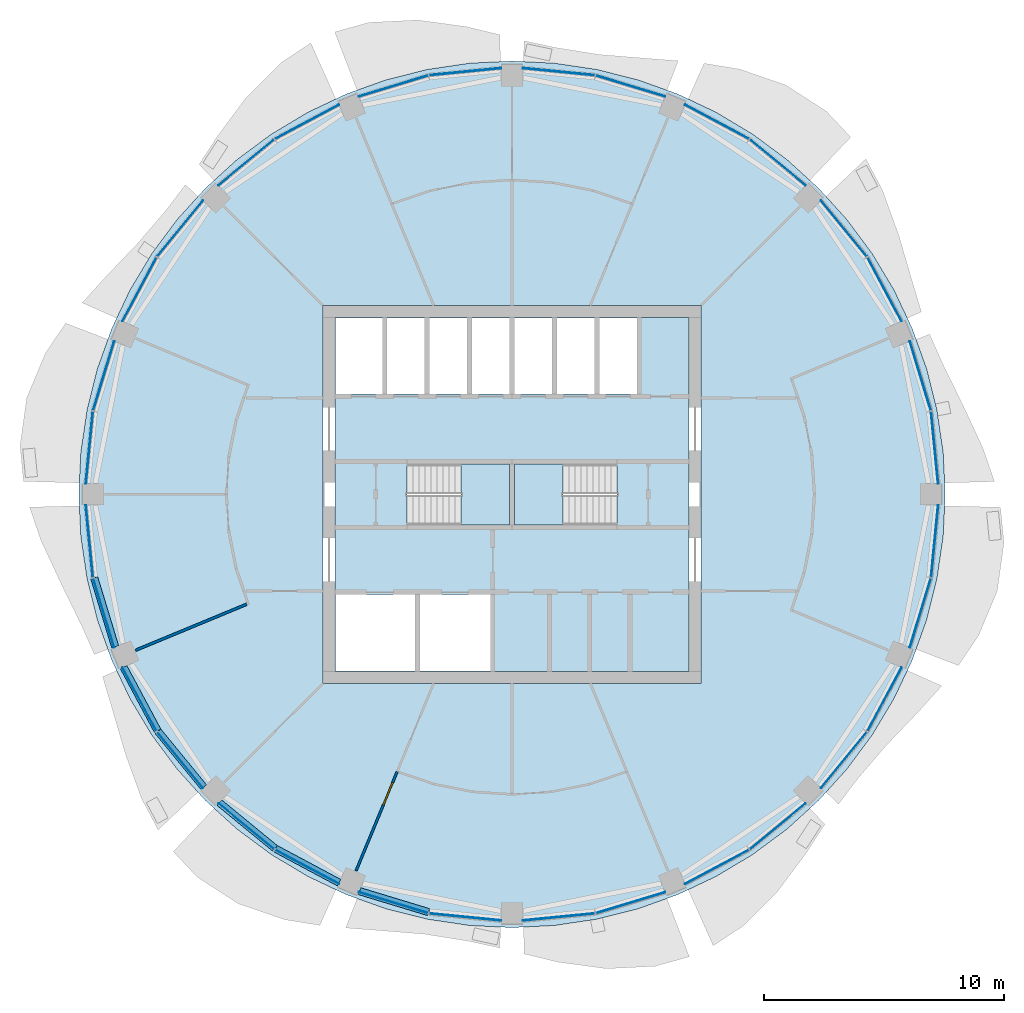
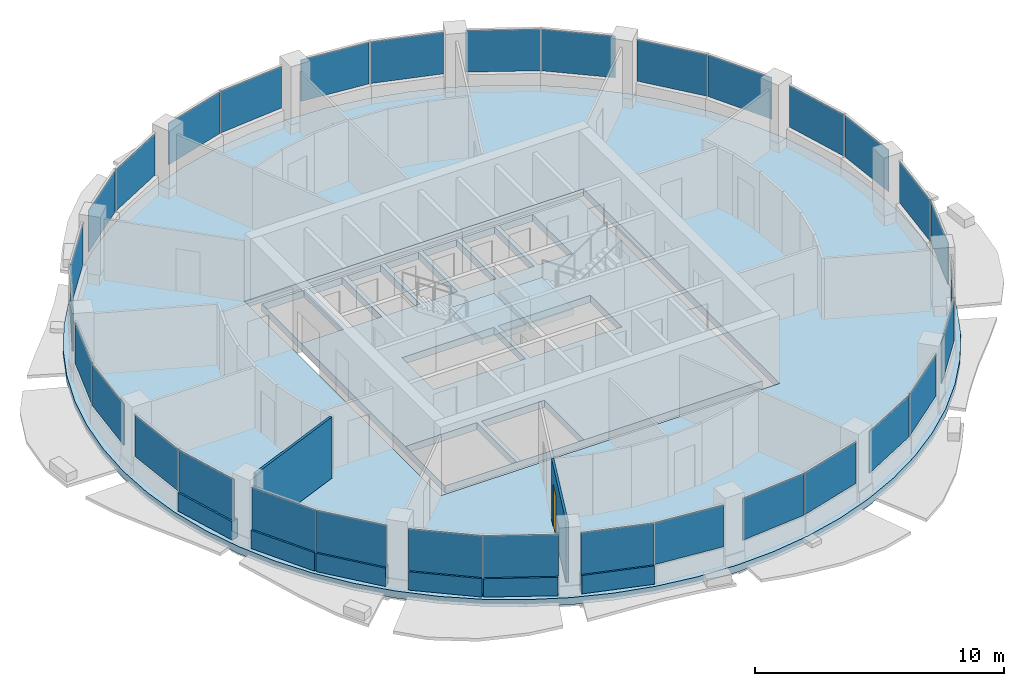
# One storey, part 7 of 15: 32 plates, 8 walls, 4 slabs, 1 door, 1 opening, 18 elements without a shape of their own.
"""IFC4 building model written with IfcOpenShell, lengths in metres."""

from ifc_helpers import new_model, si_unit, direction, frame, frame_2d, origin, origin_2d, place, context, subcontext, project, spatial, polyline, rectangle, outline, extrude, material, layer, layer_set, type_object, element, fill, aggregate, save


model = new_model("IFC4")

# Units and contexts
model_context = context("Model", 3, precision=1e-05, world=origin(), true_north=direction((0.0, 1.0)))
body_context = subcontext(model_context, "Body", "Model", "MODEL_VIEW")
ifc_project = project(units=[si_unit("LENGTHUNIT", "METRE"), si_unit("AREAUNIT", "SQUARE_METRE"), si_unit("VOLUMEUNIT", "CUBIC_METRE"), si_unit("PLANEANGLEUNIT", "RADIAN"), si_unit("MASSUNIT", "GRAM", prefix="KILO")], contexts=[model_context])

# Site, building, storey
site_placement = place(None, origin())
site = spatial("IfcSite", under=ifc_project, at=site_placement, CompositionType="ELEMENT")
building_placement = place(site_placement, origin())
building = spatial("IfcBuilding", under=site, at=building_placement, Name="Polderwave Tower", CompositionType="ELEMENT")
storey_placement = place(building_placement, frame((0.0, 0.0, 187.64990234375)))
storey = spatial("IfcBuildingStorey", under=building, at=storey_placement, Name="L50", CompositionType="ELEMENT", Elevation=187.64990234375)

# Slab
ifc_material_1 = material(Name="Concrete C40/50", Category="concrete")
ifc_layer_1 = layer(ifc_material_1, 0.35009765625)
ifc_layer_set_1 = layer_set([ifc_layer_1], Name="Core floor slab 350")
slab_type_1 = type_object("IfcSlabType", Name="Core floor slab 350", PredefinedType="FLOOR", material=ifc_layer_set_1)
slab_1_placement = place(storey_placement, frame((0.0, 0.0, -0.349853515625)))
element("IfcSlab", 1, at=slab_1_placement, inside=storey, type_object=slab_type_1, Name="L50 core floor", PredefinedType="FLOOR", context=body_context, shape_type="SweptSolid", body=[
    extrude(outline(polyline([(-7.3740234375, -7.3740234375), (7.3740234375, -7.3740234375), (7.3740234375, 7.3740234375), (-7.3740234375, 7.3740234375), (-7.3740234375, -7.3740234375)]), holes=[polyline([(-7.35400390625, -7.35400390625), (-4.037109375, -7.35400390625), (-4.037109375, -4.174072265625), (-7.35400390625, -4.174072265625), (-7.35400390625, -7.35400390625)]), polyline([(-3.8369140625, -7.35400390625), (-0.89990234375, -7.35400390625), (-0.89990234375, -4.174072265625), (-3.8369140625, -4.174072265625), (-3.8369140625, -7.35400390625)]), polyline([(-7.35400390625, 4.174072265625), (-5.405517578125, 4.174072265625), (-5.405517578125, 7.35400390625), (-7.35400390625, 7.35400390625), (-7.35400390625, 4.174072265625)]), polyline([(-5.20556640625, 4.174072265625), (-3.636962890625, 4.174072265625), (-3.636962890625, 7.35400390625), (-5.20556640625, 7.35400390625), (-5.20556640625, 4.174072265625)]), polyline([(-3.43701171875, 4.174072265625), (-1.868408203125, 4.174072265625), (-1.868408203125, 7.35400390625), (-3.43701171875, 7.35400390625), (-3.43701171875, 4.174072265625)]), polyline([(-1.66845703125, 4.174072265625), (-0.10009765625, 4.174072265625), (-0.10009765625, 7.35400390625), (-1.66845703125, 7.35400390625), (-1.66845703125, 4.174072265625)]), polyline([(0.10009765625, 4.174072265625), (1.66845703125, 4.174072265625), (1.66845703125, 7.35400390625), (0.10009765625, 7.35400390625), (0.10009765625, 4.174072265625)]), polyline([(1.868408203125, 4.174072265625), (3.43701171875, 4.174072265625), (3.43701171875, 7.35400390625), (1.868408203125, 7.35400390625), (1.868408203125, 4.174072265625)]), polyline([(3.636962890625, 4.174072265625), (5.20556640625, 4.174072265625), (5.20556640625, 7.35400390625), (3.636962890625, 7.35400390625), (3.636962890625, 4.174072265625)]), polyline([(-4.37353515625, -1.2744140625), (-0.1005859375, -1.2744140625), (-0.1005859375, 1.2744140625), (-4.37353515625, 1.2744140625), (-4.37353515625, -1.2744140625)]), polyline([(0.1005859375, -1.2744140625), (4.37353515625, -1.2744140625), (4.37353515625, 1.2744140625), (0.1005859375, 1.2744140625), (0.1005859375, -1.2744140625)])]), origin(), (0.0, 0.0, 1.0), 0.349853515625),
])

# Curtain wall, plates
ifc_material_2 = material(Name="Aluminium 6063-T6 and glass", Category="aluminium")
curtain_wall_type = type_object("IfcCurtainWallType", Name="Office ribbon glazing wall", PredefinedType="NOTDEFINED", material=ifc_material_2)
curtain_wall_1_placement = place(storey_placement, origin())
curtain_wall_1 = element("IfcCurtainWall", 2, at=curtain_wall_1_placement, inside=storey, type_object=curtain_wall_type, Name="CW3 L50 00", PredefinedType="NOTDEFINED")
ifc_material_3 = material(Name="Glass, low-e laminated double glazing", Category="glass")
ifc_layer_2 = layer(ifc_material_3, 0.031982421875)
ifc_layer_set_2 = layer_set([ifc_layer_2], Name="Office ribbon glazing glass panel 32 mm")
plate_type = type_object("IfcPlateType", Name="Office ribbon glazing glass panel 32 mm", PredefinedType="CURTAIN_PANEL", material=ifc_layer_set_2)
plate_1_placement = place(storey_placement, frame((17.6083984375, 1.94775390625, 0.900146484375), z_axis=(0.0, 0.0, 1.0), x_axis=(-0.098102249297, 0.995176340496, 0.0)))
plate_1 = element("IfcPlate", 3, at=plate_1_placement, type_object=plate_type, Name="CW3 panel 1", PredefinedType="CURTAIN_PANEL", context=body_context, shape_type="SweptSolid", body=[
    extrude(rectangle(XDim=3.01025390625, YDim=0.031982421875, at=origin_2d()), origin(), (0.0, 0.0, 1.0), 2.0400390625),
])
plate_2_placement = place(storey_placement, frame((17.012939453125, 4.939208984375, 0.900146484375), z_axis=(0.0, 0.0, 1.0), x_axis=(-0.290428309117, 0.956896753712, 0.0)))
plate_2 = element("IfcPlate", 4, at=plate_2_placement, type_object=plate_type, Name="CW3 panel 2", PredefinedType="CURTAIN_PANEL", context=body_context, shape_type="SweptSolid", body=[
    extrude(rectangle(XDim=3.009521484375, YDim=0.031982421875, at=origin_2d()), origin(), (0.0, 0.0, 1.0), 2.0400390625),
])
aggregate(curtain_wall_1, [plate_1, plate_2])

curtain_wall_2_placement = place(storey_placement, origin())
curtain_wall_2 = element("IfcCurtainWall", 5, at=curtain_wall_2_placement, inside=storey, type_object=curtain_wall_type, Name="CW3 L50 01", PredefinedType="NOTDEFINED")
plate_3_placement = place(storey_placement, frame((15.5224609375, 8.537841796875, 0.900146484375), z_axis=(0.0, 0.0, 1.0), x_axis=(-0.471544497535, 0.881842268688, 0.0)))
plate_3 = element("IfcPlate", 6, at=plate_3_placement, type_object=plate_type, Name="CW3 panel 1", PredefinedType="CURTAIN_PANEL", context=body_context, shape_type="SweptSolid", body=[
    extrude(rectangle(XDim=3.00927734375, YDim=0.031982421875, at=origin_2d()), origin(), (0.0, 0.0, 1.0), 2.0400390625),
])
plate_4_placement = place(storey_placement, frame((13.827880859375, 11.073486328125, 0.900146484375), z_axis=(0.0, 0.0, 1.0), x_axis=(-0.634402728221, 0.773002702729, 0.0)))
plate_4 = element("IfcPlate", 7, at=plate_4_placement, type_object=plate_type, Name="CW3 panel 2", PredefinedType="CURTAIN_PANEL", context=body_context, shape_type="SweptSolid", body=[
    extrude(rectangle(XDim=3.010009765625, YDim=0.031982421875, at=origin_2d()), origin(), (0.0, 0.0, 1.0), 2.0400390625),
])
aggregate(curtain_wall_2, [plate_3, plate_4])

curtain_wall_3_placement = place(storey_placement, origin())
curtain_wall_3 = element("IfcCurtainWall", 8, at=curtain_wall_3_placement, inside=storey, type_object=curtain_wall_type, Name="CW3 L50 02", PredefinedType="NOTDEFINED")
plate_5_placement = place(storey_placement, frame((11.073486328125, 13.827880859375, 0.900146484375), z_axis=(0.0, 0.0, 1.0), x_axis=(-0.773002702729, 0.634402728221, 0.0)))
plate_5 = element("IfcPlate", 9, at=plate_5_placement, type_object=plate_type, Name="CW3 panel 1", PredefinedType="CURTAIN_PANEL", context=body_context, shape_type="SweptSolid", body=[
    extrude(rectangle(XDim=3.010009765625, YDim=0.031982421875, at=origin_2d()), origin(), (0.0, 0.0, 1.0), 2.0400390625),
])
plate_6_placement = place(storey_placement, frame((8.537841796875, 15.5224609375, 0.900146484375), z_axis=(0.0, 0.0, 1.0), x_axis=(-0.881842268688, 0.471544497535, 0.0)))
plate_6 = element("IfcPlate", 10, at=plate_6_placement, type_object=plate_type, Name="CW3 panel 2", PredefinedType="CURTAIN_PANEL", context=body_context, shape_type="SweptSolid", body=[
    extrude(rectangle(XDim=3.00927734375, YDim=0.031982421875, at=origin_2d()), origin(), (0.0, 0.0, 1.0), 2.0400390625),
])
aggregate(curtain_wall_3, [plate_5, plate_6])

curtain_wall_4_placement = place(storey_placement, origin())
curtain_wall_4 = element("IfcCurtainWall", 11, at=curtain_wall_4_placement, inside=storey, type_object=curtain_wall_type, Name="CW3 L50 03", PredefinedType="NOTDEFINED")
plate_7_placement = place(storey_placement, frame((4.939208984375, 17.012939453125, 0.900146484375), z_axis=(0.0, 0.0, 1.0), x_axis=(-0.956896753712, 0.290428309117, 0.0)))
plate_7 = element("IfcPlate", 12, at=plate_7_placement, type_object=plate_type, Name="CW3 panel 1", PredefinedType="CURTAIN_PANEL", context=body_context, shape_type="SweptSolid", body=[
    extrude(rectangle(XDim=3.009521484375, YDim=0.031982421875, at=origin_2d()), origin(), (0.0, 0.0, 1.0), 2.0400390625),
])
plate_8_placement = place(storey_placement, frame((1.94775390625, 17.6083984375, 0.900146484375), z_axis=(0.0, 0.0, 1.0), x_axis=(-0.995176340496, 0.098102249297, 0.0)))
plate_8 = element("IfcPlate", 13, at=plate_8_placement, type_object=plate_type, Name="CW3 panel 2", PredefinedType="CURTAIN_PANEL", context=body_context, shape_type="SweptSolid", body=[
    extrude(rectangle(XDim=3.01025390625, YDim=0.031982421875, at=origin_2d()), origin(), (0.0, 0.0, 1.0), 2.0400390625),
])
aggregate(curtain_wall_4, [plate_7, plate_8])

curtain_wall_5_placement = place(storey_placement, origin())
curtain_wall_5 = element("IfcCurtainWall", 14, at=curtain_wall_5_placement, inside=storey, type_object=curtain_wall_type, Name="CW3 L50 04", PredefinedType="NOTDEFINED")
plate_9_placement = place(storey_placement, frame((-1.94775390625, 17.6083984375, 0.900146484375), z_axis=(0.0, 0.0, 1.0), x_axis=(-0.995176340496, -0.098102249297, 0.0)))
plate_9 = element("IfcPlate", 15, at=plate_9_placement, type_object=plate_type, Name="CW3 panel 1", PredefinedType="CURTAIN_PANEL", context=body_context, shape_type="SweptSolid", body=[
    extrude(rectangle(XDim=3.01025390625, YDim=0.031982421875, at=origin_2d()), origin(), (0.0, 0.0, 1.0), 2.0400390625),
])
plate_10_placement = place(storey_placement, frame((-4.939208984375, 17.012939453125, 0.900146484375), z_axis=(0.0, 0.0, 1.0), x_axis=(-0.956896753712, -0.290428309117, 0.0)))
plate_10 = element("IfcPlate", 16, at=plate_10_placement, type_object=plate_type, Name="CW3 panel 2", PredefinedType="CURTAIN_PANEL", context=body_context, shape_type="SweptSolid", body=[
    extrude(rectangle(XDim=3.009521484375, YDim=0.031982421875, at=origin_2d()), origin(), (0.0, 0.0, 1.0), 2.0400390625),
])
aggregate(curtain_wall_5, [plate_9, plate_10])

curtain_wall_6_placement = place(storey_placement, origin())
curtain_wall_6 = element("IfcCurtainWall", 17, at=curtain_wall_6_placement, inside=storey, type_object=curtain_wall_type, Name="CW3 L50 05", PredefinedType="NOTDEFINED")
plate_11_placement = place(storey_placement, frame((-8.537841796875, 15.5224609375, 0.900146484375), z_axis=(0.0, 0.0, 1.0), x_axis=(-0.881842268688, -0.471544497535, 0.0)))
plate_11 = element("IfcPlate", 18, at=plate_11_placement, type_object=plate_type, Name="CW3 panel 1", PredefinedType="CURTAIN_PANEL", context=body_context, shape_type="SweptSolid", body=[
    extrude(rectangle(XDim=3.00927734375, YDim=0.031982421875, at=origin_2d()), origin(), (0.0, 0.0, 1.0), 2.0400390625),
])
plate_12_placement = place(storey_placement, frame((-11.073486328125, 13.827880859375, 0.900146484375), z_axis=(0.0, 0.0, 1.0), x_axis=(-0.773002702729, -0.634402728221, 0.0)))
plate_12 = element("IfcPlate", 19, at=plate_12_placement, type_object=plate_type, Name="CW3 panel 2", PredefinedType="CURTAIN_PANEL", context=body_context, shape_type="SweptSolid", body=[
    extrude(rectangle(XDim=3.010009765625, YDim=0.031982421875, at=origin_2d()), origin(), (0.0, 0.0, 1.0), 2.0400390625),
])
aggregate(curtain_wall_6, [plate_11, plate_12])

curtain_wall_7_placement = place(storey_placement, origin())
curtain_wall_7 = element("IfcCurtainWall", 20, at=curtain_wall_7_placement, inside=storey, type_object=curtain_wall_type, Name="CW3 L50 06", PredefinedType="NOTDEFINED")
plate_13_placement = place(storey_placement, frame((-13.827880859375, 11.073486328125, 0.900146484375), z_axis=(0.0, 0.0, 1.0), x_axis=(-0.634402728221, -0.773002702729, 0.0)))
plate_13 = element("IfcPlate", 21, at=plate_13_placement, type_object=plate_type, Name="CW3 panel 1", PredefinedType="CURTAIN_PANEL", context=body_context, shape_type="SweptSolid", body=[
    extrude(rectangle(XDim=3.010009765625, YDim=0.031982421875, at=origin_2d()), origin(), (0.0, 0.0, 1.0), 2.0400390625),
])
plate_14_placement = place(storey_placement, frame((-15.5224609375, 8.537841796875, 0.900146484375), z_axis=(0.0, 0.0, 1.0), x_axis=(-0.471544497535, -0.881842268688, 0.0)))
plate_14 = element("IfcPlate", 22, at=plate_14_placement, type_object=plate_type, Name="CW3 panel 2", PredefinedType="CURTAIN_PANEL", context=body_context, shape_type="SweptSolid", body=[
    extrude(rectangle(XDim=3.00927734375, YDim=0.031982421875, at=origin_2d()), origin(), (0.0, 0.0, 1.0), 2.0400390625),
])
aggregate(curtain_wall_7, [plate_13, plate_14])

curtain_wall_8_placement = place(storey_placement, origin())
curtain_wall_8 = element("IfcCurtainWall", 23, at=curtain_wall_8_placement, inside=storey, type_object=curtain_wall_type, Name="CW3 L50 07", PredefinedType="NOTDEFINED")
plate_15_placement = place(storey_placement, frame((-17.012939453125, 4.939208984375, 0.900146484375), z_axis=(0.0, 0.0, 1.0), x_axis=(-0.290428309117, -0.956896753712, 0.0)))
plate_15 = element("IfcPlate", 24, at=plate_15_placement, type_object=plate_type, Name="CW3 panel 1", PredefinedType="CURTAIN_PANEL", context=body_context, shape_type="SweptSolid", body=[
    extrude(rectangle(XDim=3.009521484375, YDim=0.031982421875, at=origin_2d()), origin(), (0.0, 0.0, 1.0), 2.0400390625),
])
plate_16_placement = place(storey_placement, frame((-17.6083984375, 1.94775390625, 0.900146484375), z_axis=(0.0, 0.0, 1.0), x_axis=(-0.098102249297, -0.995176340496, 0.0)))
plate_16 = element("IfcPlate", 25, at=plate_16_placement, type_object=plate_type, Name="CW3 panel 2", PredefinedType="CURTAIN_PANEL", context=body_context, shape_type="SweptSolid", body=[
    extrude(rectangle(XDim=3.01025390625, YDim=0.031982421875, at=origin_2d()), origin(), (0.0, 0.0, 1.0), 2.0400390625),
])
aggregate(curtain_wall_8, [plate_15, plate_16])

curtain_wall_9_placement = place(storey_placement, origin())
curtain_wall_9 = element("IfcCurtainWall", 26, at=curtain_wall_9_placement, inside=storey, type_object=curtain_wall_type, Name="CW3 L50 08", PredefinedType="NOTDEFINED")
plate_17_placement = place(storey_placement, frame((-17.6083984375, -1.94775390625, 0.900146484375), z_axis=(0.0, 0.0, 1.0), x_axis=(0.098102249297, -0.995176340496, 0.0)))
plate_17 = element("IfcPlate", 27, at=plate_17_placement, type_object=plate_type, Name="CW3 panel 1", PredefinedType="CURTAIN_PANEL", context=body_context, shape_type="SweptSolid", body=[
    extrude(rectangle(XDim=3.01025390625, YDim=0.031982421875, at=origin_2d()), origin(), (0.0, 0.0, 1.0), 2.0400390625),
])
plate_18_placement = place(storey_placement, frame((-17.012939453125, -4.939208984375, 0.900146484375), z_axis=(0.0, 0.0, 1.0), x_axis=(0.290428309117, -0.956896753712, 0.0)))
plate_18 = element("IfcPlate", 28, at=plate_18_placement, type_object=plate_type, Name="CW3 panel 2", PredefinedType="CURTAIN_PANEL", context=body_context, shape_type="SweptSolid", body=[
    extrude(rectangle(XDim=3.009521484375, YDim=0.031982421875, at=origin_2d()), origin(), (0.0, 0.0, 1.0), 2.0400390625),
])
aggregate(curtain_wall_9, [plate_17, plate_18])

curtain_wall_10_placement = place(storey_placement, origin())
curtain_wall_10 = element("IfcCurtainWall", 29, at=curtain_wall_10_placement, inside=storey, type_object=curtain_wall_type, Name="CW3 L50 09", PredefinedType="NOTDEFINED")
plate_19_placement = place(storey_placement, frame((-15.5224609375, -8.537841796875, 0.900146484375), z_axis=(0.0, 0.0, 1.0), x_axis=(0.471544497535, -0.881842268688, 0.0)))
plate_19 = element("IfcPlate", 30, at=plate_19_placement, type_object=plate_type, Name="CW3 panel 1", PredefinedType="CURTAIN_PANEL", context=body_context, shape_type="SweptSolid", body=[
    extrude(rectangle(XDim=3.00927734375, YDim=0.031982421875, at=origin_2d()), origin(), (0.0, 0.0, 1.0), 2.0400390625),
])
plate_20_placement = place(storey_placement, frame((-13.827880859375, -11.073486328125, 0.900146484375), z_axis=(0.0, 0.0, 1.0), x_axis=(0.634402728221, -0.773002702729, 0.0)))
plate_20 = element("IfcPlate", 31, at=plate_20_placement, type_object=plate_type, Name="CW3 panel 2", PredefinedType="CURTAIN_PANEL", context=body_context, shape_type="SweptSolid", body=[
    extrude(rectangle(XDim=3.010009765625, YDim=0.031982421875, at=origin_2d()), origin(), (0.0, 0.0, 1.0), 2.0400390625),
])
aggregate(curtain_wall_10, [plate_19, plate_20])

curtain_wall_11_placement = place(storey_placement, origin())
curtain_wall_11 = element("IfcCurtainWall", 32, at=curtain_wall_11_placement, inside=storey, type_object=curtain_wall_type, Name="CW3 L50 10", PredefinedType="NOTDEFINED")
plate_21_placement = place(storey_placement, frame((-11.073486328125, -13.827880859375, 0.900146484375), z_axis=(0.0, 0.0, 1.0), x_axis=(0.773002702729, -0.634402728221, 0.0)))
plate_21 = element("IfcPlate", 33, at=plate_21_placement, type_object=plate_type, Name="CW3 panel 1", PredefinedType="CURTAIN_PANEL", context=body_context, shape_type="SweptSolid", body=[
    extrude(rectangle(XDim=3.010009765625, YDim=0.031982421875, at=origin_2d()), origin(), (0.0, 0.0, 1.0), 2.0400390625),
])
plate_22_placement = place(storey_placement, frame((-8.537841796875, -15.5224609375, 0.900146484375), z_axis=(0.0, 0.0, 1.0), x_axis=(0.881842268688, -0.471544497535, 0.0)))
plate_22 = element("IfcPlate", 34, at=plate_22_placement, type_object=plate_type, Name="CW3 panel 2", PredefinedType="CURTAIN_PANEL", context=body_context, shape_type="SweptSolid", body=[
    extrude(rectangle(XDim=3.00927734375, YDim=0.031982421875, at=origin_2d()), origin(), (0.0, 0.0, 1.0), 2.0400390625),
])
aggregate(curtain_wall_11, [plate_21, plate_22])

curtain_wall_12_placement = place(storey_placement, origin())
curtain_wall_12 = element("IfcCurtainWall", 35, at=curtain_wall_12_placement, inside=storey, type_object=curtain_wall_type, Name="CW3 L50 11", PredefinedType="NOTDEFINED")
plate_23_placement = place(storey_placement, frame((-4.939208984375, -17.012939453125, 0.900146484375), z_axis=(0.0, 0.0, 1.0), x_axis=(0.956896753712, -0.290428309117, 0.0)))
plate_23 = element("IfcPlate", 36, at=plate_23_placement, type_object=plate_type, Name="CW3 panel 1", PredefinedType="CURTAIN_PANEL", context=body_context, shape_type="SweptSolid", body=[
    extrude(rectangle(XDim=3.009521484375, YDim=0.031982421875, at=origin_2d()), origin(), (0.0, 0.0, 1.0), 2.0400390625),
])
plate_24_placement = place(storey_placement, frame((-1.94775390625, -17.6083984375, 0.900146484375), z_axis=(0.0, 0.0, 1.0), x_axis=(0.995176340496, -0.098102249297, 0.0)))
plate_24 = element("IfcPlate", 37, at=plate_24_placement, type_object=plate_type, Name="CW3 panel 2", PredefinedType="CURTAIN_PANEL", context=body_context, shape_type="SweptSolid", body=[
    extrude(rectangle(XDim=3.01025390625, YDim=0.031982421875, at=origin_2d()), origin(), (0.0, 0.0, 1.0), 2.0400390625),
])
aggregate(curtain_wall_12, [plate_23, plate_24])

curtain_wall_13_placement = place(storey_placement, origin())
curtain_wall_13 = element("IfcCurtainWall", 38, at=curtain_wall_13_placement, inside=storey, type_object=curtain_wall_type, Name="CW3 L50 12", PredefinedType="NOTDEFINED")
plate_25_placement = place(storey_placement, frame((1.94775390625, -17.6083984375, 0.900146484375), z_axis=(0.0, 0.0, 1.0), x_axis=(0.995176340496, 0.098102249297, 0.0)))
plate_25 = element("IfcPlate", 39, at=plate_25_placement, type_object=plate_type, Name="CW3 panel 1", PredefinedType="CURTAIN_PANEL", context=body_context, shape_type="SweptSolid", body=[
    extrude(rectangle(XDim=3.01025390625, YDim=0.031982421875, at=origin_2d()), origin(), (0.0, 0.0, 1.0), 2.0400390625),
])
plate_26_placement = place(storey_placement, frame((4.939208984375, -17.012939453125, 0.900146484375), z_axis=(0.0, 0.0, 1.0), x_axis=(0.956896753712, 0.290428309117, 0.0)))
plate_26 = element("IfcPlate", 40, at=plate_26_placement, type_object=plate_type, Name="CW3 panel 2", PredefinedType="CURTAIN_PANEL", context=body_context, shape_type="SweptSolid", body=[
    extrude(rectangle(XDim=3.009521484375, YDim=0.031982421875, at=origin_2d()), origin(), (0.0, 0.0, 1.0), 2.0400390625),
])
aggregate(curtain_wall_13, [plate_25, plate_26])

curtain_wall_14_placement = place(storey_placement, origin())
curtain_wall_14 = element("IfcCurtainWall", 41, at=curtain_wall_14_placement, inside=storey, type_object=curtain_wall_type, Name="CW3 L50 13", PredefinedType="NOTDEFINED")
plate_27_placement = place(storey_placement, frame((8.537841796875, -15.5224609375, 0.900146484375), z_axis=(0.0, 0.0, 1.0), x_axis=(0.881842268688, 0.471544497535, 0.0)))
plate_27 = element("IfcPlate", 42, at=plate_27_placement, type_object=plate_type, Name="CW3 panel 1", PredefinedType="CURTAIN_PANEL", context=body_context, shape_type="SweptSolid", body=[
    extrude(rectangle(XDim=3.00927734375, YDim=0.031982421875, at=origin_2d()), origin(), (0.0, 0.0, 1.0), 2.0400390625),
])
plate_28_placement = place(storey_placement, frame((11.073486328125, -13.827880859375, 0.900146484375), z_axis=(0.0, 0.0, 1.0), x_axis=(0.773002702729, 0.634402728221, 0.0)))
plate_28 = element("IfcPlate", 43, at=plate_28_placement, type_object=plate_type, Name="CW3 panel 2", PredefinedType="CURTAIN_PANEL", context=body_context, shape_type="SweptSolid", body=[
    extrude(rectangle(XDim=3.010009765625, YDim=0.031982421875, at=origin_2d()), origin(), (0.0, 0.0, 1.0), 2.0400390625),
])
aggregate(curtain_wall_14, [plate_27, plate_28])

curtain_wall_15_placement = place(storey_placement, origin())
curtain_wall_15 = element("IfcCurtainWall", 44, at=curtain_wall_15_placement, inside=storey, type_object=curtain_wall_type, Name="CW3 L50 14", PredefinedType="NOTDEFINED")
plate_29_placement = place(storey_placement, frame((13.827880859375, -11.073486328125, 0.900146484375), z_axis=(0.0, 0.0, 1.0), x_axis=(0.634402728221, 0.773002702729, 0.0)))
plate_29 = element("IfcPlate", 45, at=plate_29_placement, type_object=plate_type, Name="CW3 panel 1", PredefinedType="CURTAIN_PANEL", context=body_context, shape_type="SweptSolid", body=[
    extrude(rectangle(XDim=3.010009765625, YDim=0.031982421875, at=origin_2d()), origin(), (0.0, 0.0, 1.0), 2.0400390625),
])
plate_30_placement = place(storey_placement, frame((15.5224609375, -8.537841796875, 0.900146484375), z_axis=(0.0, 0.0, 1.0), x_axis=(0.471544497535, 0.881842268688, 0.0)))
plate_30 = element("IfcPlate", 46, at=plate_30_placement, type_object=plate_type, Name="CW3 panel 2", PredefinedType="CURTAIN_PANEL", context=body_context, shape_type="SweptSolid", body=[
    extrude(rectangle(XDim=3.00927734375, YDim=0.031982421875, at=origin_2d()), origin(), (0.0, 0.0, 1.0), 2.0400390625),
])
aggregate(curtain_wall_15, [plate_29, plate_30])

curtain_wall_16_placement = place(storey_placement, origin())
curtain_wall_16 = element("IfcCurtainWall", 47, at=curtain_wall_16_placement, inside=storey, type_object=curtain_wall_type, Name="CW3 L50 15", PredefinedType="NOTDEFINED")
plate_31_placement = place(storey_placement, frame((17.012939453125, -4.939208984375, 0.900146484375), z_axis=(0.0, 0.0, 1.0), x_axis=(0.290428309117, 0.956896753712, 0.0)))
plate_31 = element("IfcPlate", 48, at=plate_31_placement, type_object=plate_type, Name="CW3 panel 1", PredefinedType="CURTAIN_PANEL", context=body_context, shape_type="SweptSolid", body=[
    extrude(rectangle(XDim=3.009521484375, YDim=0.031982421875, at=origin_2d()), origin(), (0.0, 0.0, 1.0), 2.0400390625),
])
plate_32_placement = place(storey_placement, frame((17.6083984375, -1.94775390625, 0.900146484375), z_axis=(0.0, 0.0, 1.0), x_axis=(0.098102249297, 0.995176340496, 0.0)))
plate_32 = element("IfcPlate", 49, at=plate_32_placement, type_object=plate_type, Name="CW3 panel 2", PredefinedType="CURTAIN_PANEL", context=body_context, shape_type="SweptSolid", body=[
    extrude(rectangle(XDim=3.01025390625, YDim=0.031982421875, at=origin_2d()), origin(), (0.0, 0.0, 1.0), 2.0400390625),
])
aggregate(curtain_wall_16, [plate_31, plate_32])

# Slab
ifc_layer_3 = layer(ifc_material_1, 0.35009765625)
ifc_layer_set_3 = layer_set([ifc_layer_3], Name="PT FLOOR SLAB 350 C40/50")
slab_type_2 = type_object("IfcSlabType", Name="PT FLOOR SLAB 350 C40/50", PredefinedType="FLOOR", material=ifc_layer_set_3)
slab_2_placement = place(storey_placement, frame((0.0, 0.0, -0.349853515625)))
element("IfcSlab", 50, at=slab_2_placement, inside=storey, type_object=slab_type_2, Name="ST-SLAB-L50", PredefinedType="FLOOR", context=body_context, shape_type="SweptSolid", body=[
    extrude(outline(polyline([(18.050048828125, 0.0), (17.963134765625, 1.769287109375), (17.703125, 3.521484375), (17.272705078125, 5.239501953125), (16.676025390625, 6.907470703125), (15.918701171875, 8.5087890625), (15.008056640625, 10.028076171875), (13.952880859375, 11.45068359375), (12.76318359375, 12.76318359375), (11.45068359375, 13.952880859375), (10.028076171875, 15.008056640625), (8.5087890625, 15.918701171875), (6.907470703125, 16.676025390625), (5.239501953125, 17.272705078125), (3.521484375, 17.703125), (1.769287109375, 17.963134765625), (0.0, 18.050048828125), (-1.769287109375, 17.963134765625), (-3.521484375, 17.703125), (-5.239501953125, 17.272705078125), (-6.907470703125, 16.676025390625), (-8.5087890625, 15.918701171875), (-10.028076171875, 15.008056640625), (-11.45068359375, 13.952880859375), (-12.76318359375, 12.76318359375), (-13.952880859375, 11.45068359375), (-15.008056640625, 10.028076171875), (-15.918701171875, 8.5087890625), (-16.676025390625, 6.907470703125), (-17.272705078125, 5.239501953125), (-17.703125, 3.521484375), (-17.963134765625, 1.769287109375), (-18.050048828125, 0.0), (-17.963134765625, -1.769287109375), (-17.703125, -3.521484375), (-17.272705078125, -5.239501953125), (-16.676025390625, -6.907470703125), (-15.918701171875, -8.5087890625), (-15.008056640625, -10.028076171875), (-13.952880859375, -11.45068359375), (-12.76318359375, -12.76318359375), (-11.45068359375, -13.952880859375), (-10.028076171875, -15.008056640625), (-8.5087890625, -15.918701171875), (-6.907470703125, -16.676025390625), (-5.239501953125, -17.272705078125), (-3.521484375, -17.703125), (-1.769287109375, -17.963134765625), (0.0, -18.050048828125), (1.769287109375, -17.963134765625), (3.521484375, -17.703125), (5.239501953125, -17.272705078125), (6.907470703125, -16.676025390625), (8.5087890625, -15.918701171875), (10.028076171875, -15.008056640625), (11.45068359375, -13.952880859375), (12.76318359375, -12.76318359375), (13.952880859375, -11.45068359375), (15.008056640625, -10.028076171875), (15.918701171875, -8.5087890625), (16.676025390625, -6.907470703125), (17.272705078125, -5.239501953125), (17.703125, -3.521484375), (17.963134765625, -1.769287109375), (18.050048828125, 0.0)]), holes=[polyline([(-7.8740234375, -7.8740234375), (7.8740234375, -7.8740234375), (7.8740234375, 7.8740234375), (-7.8740234375, 7.8740234375), (-7.8740234375, -7.8740234375)])]), origin(), (0.0, 0.0, 1.0), 0.349853515625),
])

# Stair, slab
stair_type = type_object("IfcStairType", Name="Exit stair 1200 x 20 risers", PredefinedType="HALF_TURN_STAIR", material=ifc_material_1)
stair_1_placement = place(storey_placement, origin())
stair_1 = element("IfcStair", 51, at=stair_1_placement, inside=storey, type_object=stair_type, Name="L50 Exit stair A", PredefinedType="HALF_TURN_STAIR")
ifc_layer_4 = layer(ifc_material_1, 0.300048828125)
ifc_layer_set_4 = layer_set([ifc_layer_4], Name="Stair landing 300")
slab_type_3 = type_object("IfcSlabType", Name="Stair landing 300", PredefinedType="LANDING", material=ifc_layer_set_4)
slab_3_placement = place(storey_placement, frame((0.0, 0.0, 1.375)))
slab_3 = element("IfcSlab", 52, at=slab_3_placement, type_object=slab_type_3, Name="ST-A landing 1", PredefinedType="LANDING", context=body_context, shape_type="SweptSolid", body=[
    extrude(outline(polyline([(-2.1240234375, -1.27490234375), (-0.10009765625, -1.27490234375), (-0.10009765625, 1.27490234375), (-2.1240234375, 1.27490234375), (-2.1240234375, -1.27490234375)])), origin(), (0.0, 0.0, 1.0), 0.300048828125),
])
aggregate(stair_1, [slab_3])

stair_2_placement = place(storey_placement, origin())
stair_2 = element("IfcStair", 53, at=stair_2_placement, inside=storey, type_object=stair_type, Name="L50 Exit stair B", PredefinedType="HALF_TURN_STAIR")
slab_4_placement = place(storey_placement, frame((0.0, 0.0, 1.375)))
slab_4 = element("IfcSlab", 54, at=slab_4_placement, type_object=slab_type_3, Name="ST-B landing 1", PredefinedType="LANDING", context=body_context, shape_type="SweptSolid", body=[
    extrude(outline(polyline([(2.1240234375, 1.27490234375), (0.10009765625, 1.27490234375), (0.10009765625, -1.27490234375), (2.1240234375, -1.27490234375), (2.1240234375, 1.27490234375)])), origin(), (0.0, 0.0, 1.0), 0.300048828125),
])
aggregate(stair_2, [slab_4])

# Walls
ifc_material_4 = material(Name="Concrete C50/60 (board-marked)", Category="concrete")
ifc_layer_5 = layer(ifc_material_4, 0.300048828125)
ifc_layer_set_5 = layer_set([ifc_layer_5], Name="Concrete spandrel upstand C50/60")
wall_type_1 = type_object("IfcWallType", Name="Concrete spandrel upstand C50/60", PredefinedType="SOLIDWALL", material=ifc_layer_set_5)
wall_1_placement = place(storey_placement, frame((-17.404541015625, -3.477294921875, 0.0), z_axis=(0.0, 0.0, 1.0), x_axis=(0.290490921835, -0.95687774785, 0.0)))
element("IfcWall", 55, at=wall_1_placement, inside=storey, type_object=wall_type_1, Name="Spandrel L50 9b", PredefinedType="SOLIDWALL", context=body_context, shape_type="SweptSolid", body=[
    extrude(rectangle(XDim=2.998779296875, YDim=0.300048828125, at=frame_2d((1.49951171875, 0.0))), origin(), (0.0, 0.0, 1.0), 0.900146484375),
])
wall_2_placement = place(storey_placement, frame((-16.178955078125, -7.2041015625, 0.0), z_axis=(0.0, 0.0, 1.0), x_axis=(0.471572734074, -0.881827169278, 0.0)))
element("IfcWall", 56, at=wall_2_placement, inside=storey, type_object=wall_type_1, Name="Spandrel L50 10a", PredefinedType="SOLIDWALL", context=body_context, shape_type="SweptSolid", body=[
    extrude(rectangle(XDim=2.998046875, YDim=0.300048828125, at=frame_2d((1.4990234375, 0.0))), origin(), (0.0, 0.0, 1.0), 0.900146484375),
])
for number, where, z_axis, x_axis, name in (
    (57, (-14.74853515625, -9.87255859375, 0.0), (0.0, 0.0, 1.0), (0.634208079217, -0.773162410012, 0.0), "Spandrel L50 10b"),
    (58, (-12.19140625, -12.846435546875, 0.0), (0.0, 0.0, 1.0), (0.773162410012, -0.634208079217, 0.0), "Spandrel L50 11a"),
):
    element("IfcWall", number, at=place(storey_placement, frame(where, z_axis=z_axis, x_axis=x_axis)), inside=storey, type_object=wall_type_1, Name=name, PredefinedType="SOLIDWALL", context=body_context, shape_type="SweptSolid", body=[
        extrude(rectangle(XDim=2.999267578125, YDim=0.300048828125, at=frame_2d((1.49951171875, 0.0))), origin(), (0.0, 0.0, 1.0), 0.900146484375),
    ])
wall_3_placement = place(storey_placement, frame((-9.847900390625, -14.76513671875, 0.0), z_axis=(0.0, 0.0, 1.0), x_axis=(0.881827169278, -0.471572734074, 0.0)))
element("IfcWall", 59, at=wall_3_placement, inside=storey, type_object=wall_type_1, Name="Spandrel L50 11b", PredefinedType="SOLIDWALL", context=body_context, shape_type="SweptSolid", body=[
    extrude(rectangle(XDim=2.998046875, YDim=0.300048828125, at=frame_2d((1.4990234375, 0.0))), origin(), (0.0, 0.0, 1.0), 0.900146484375),
])
wall_4_placement = place(storey_placement, frame((-6.3466796875, -16.533447265625, 0.0), z_axis=(0.0, 0.0, 1.0), x_axis=(0.95687774785, -0.290490921835, 0.0)))
element("IfcWall", 60, at=wall_4_placement, inside=storey, type_object=wall_type_1, Name="Spandrel L50 12a", PredefinedType="SOLIDWALL", context=body_context, shape_type="SweptSolid", body=[
    extrude(rectangle(XDim=2.998779296875, YDim=0.300048828125, at=frame_2d((1.49951171875, 0.0))), origin(), (0.0, 0.0, 1.0), 0.900146484375),
])

# Wall, opening, door
ifc_material_5 = material(Name="Plasterboard on steel studs", Category="steel")
ifc_layer_6 = layer(ifc_material_5, 0.10009765625)
ifc_layer_set_6 = layer_set([ifc_layer_6], Name="Partition 100 mm plasterboard on steel studs")
wall_type_2 = type_object("IfcWallType", Name="Partition 100 mm plasterboard on steel studs", PredefinedType="PARTITIONING", material=ifc_layer_set_6)
wall_5_placement = place(storey_placement, frame((-4.783447265625, -11.548583984375, 0.0), z_axis=(0.0, 0.0, 1.0), x_axis=(-0.382710359347, -0.92386837853, 0.0)))
wall_5 = element("IfcWall", 61, at=wall_5_placement, inside=storey, type_object=wall_type_2, Name="IN-L50-W042", PredefinedType="PARTITIONING", context=body_context, shape_type="SweptSolid", body=[
    extrude(rectangle(XDim=4.469970703125, YDim=0.10009765625, at=frame_2d((2.23486328125, 0.0))), origin(), (0.0, 0.0, 1.0), 3.0),
])
opening_placement = place(wall_5_placement, frame((0.5, 0.0, 0.0)))
opening = element("IfcOpeningElement", 62, at=opening_placement, cuts=wall_5, Name="Opening L50-D65", PredefinedType="OPENING", context=body_context, shape_type="SweptSolid", body=[
    extrude(rectangle(XDim=1.0, YDim=2.10009765625, at=frame_2d((0.5, 1.050048828125))), frame((0.0, 0.06005859375, 0.0), z_axis=(0.0, -1.0, 0.0), x_axis=(1.0, 0.0, 0.0)), (0.0, 0.0, 1.0), 0.1201171875),
])
ifc_material_6 = material(Name="Timber veneer door leaf", Category="wood")
door_type = type_object("IfcDoorType", Name="Single door 1000 x 2100", OperationType="NOTDEFINED", PredefinedType="DOOR", material=ifc_material_6)
door_placement = place(opening_placement, origin())
door = element("IfcDoor", 63, at=door_placement, inside=storey, type_object=door_type, Name="Door L50-D65", OperationType="SINGLE_SWING_LEFT", OverallHeight=2.10009765625, OverallWidth=1.0, PredefinedType="DOOR", context=body_context, shape_type="SweptSolid", body=[
    extrude(rectangle(XDim=1.0, YDim=2.10009765625, at=frame_2d((0.5, 1.050048828125))), frame((0.0, 0.02490234375, 0.0), z_axis=(0.0, -1.0, 0.0), x_axis=(1.0, 0.0, 0.0)), (0.0, 0.0, 1.0), 0.050048828125),
])
fill(opening, door)

# Wall
ifc_material_7 = material(Name="Acoustic double plasterboard on steel studs", Category="steel")
ifc_layer_7 = layer(ifc_material_7, 0.110107421875)
ifc_layer_set_7 = layer_set([ifc_layer_7], Name="Partition 110 mm acoustic double board")
wall_type_3 = type_object("IfcWallType", Name="Partition 110 mm acoustic double board", PredefinedType="PARTITIONING", material=ifc_layer_set_7)
wall_6_placement = place(storey_placement, frame((-11.048583984375, -4.576416015625, 0.0), z_axis=(0.0, 0.0, 1.0), x_axis=(-0.923874912391, -0.382694586132, 0.0)))
element("IfcWall", 64, at=wall_6_placement, inside=storey, type_object=wall_type_3, Name="IN-L50-W039", PredefinedType="PARTITIONING", context=body_context, shape_type="SweptSolid", body=[
    extrude(rectangle(XDim=5.01123046875, YDim=0.110107421875, at=frame_2d((2.505615234375, 0.0))), origin(), (0.0, 0.0, 1.0), 3.0),
])

save(model, "model.ifc")
